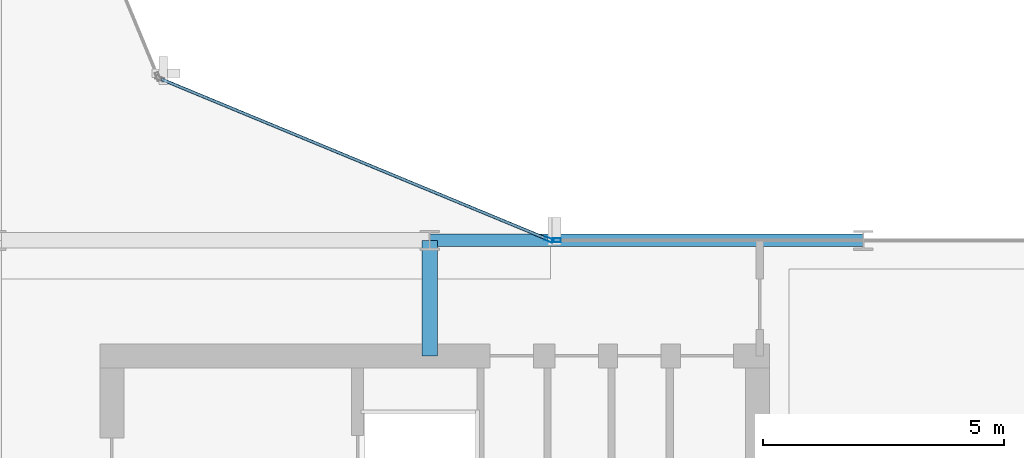
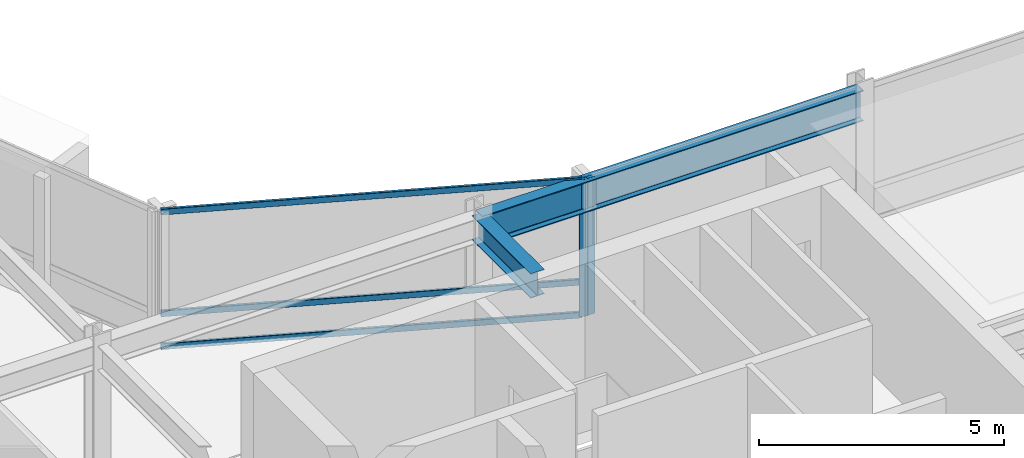
# One storey, part 12 of 27: 5 members, 2 beams, 2 elements without a shape of their own.
"""IFC4 building model written with IfcOpenShell, lengths in metres."""

from ifc_helpers import new_model, si_unit, direction, frame, origin, origin_2d, place, context, subcontext, project, spatial, hollow_rectangle, i_section, extrude, material, layer, layer_set, material_profile, profile_set, type_object, element, aggregate, save


model = new_model("IFC4")

# Units and contexts
model_context = context("Model", 3, precision=1e-05, world=origin(), true_north=direction((0.0, 1.0)))
body_context = subcontext(model_context, "Body", "Model", "MODEL_VIEW")
ifc_project = project(units=[si_unit("LENGTHUNIT", "METRE"), si_unit("AREAUNIT", "SQUARE_METRE"), si_unit("VOLUMEUNIT", "CUBIC_METRE"), si_unit("PLANEANGLEUNIT", "RADIAN"), si_unit("MASSUNIT", "GRAM", prefix="KILO")], contexts=[model_context])

# Site, building, storey
site_placement = place(None, origin())
site = spatial("IfcSite", under=ifc_project, at=site_placement, CompositionType="ELEMENT")
building_placement = place(site_placement, origin())
building = spatial("IfcBuilding", under=site, at=building_placement, Name="Solvaryn Broadcast Tower", CompositionType="ELEMENT")
storey_placement = place(building_placement, frame((0.0, 0.0, 177.89990234375)))
storey = spatial("IfcBuildingStorey", under=building, at=storey_placement, Name="L44", CompositionType="ELEMENT", Elevation=177.89990234375)

# Beams
ifc_material_1 = material(Name="Steel ASTM A992 Grade 50", Category="steel")
ifc_material_profile_1 = material_profile(ifc_material_1, i_section(OverallWidth=0.323974609375, OverallDepth=0.611083984375, WebThickness=0.0126953125, FlangeThickness=0.01904296875, FilletRadius=0.014892578125, at=origin_2d()))
ifc_profile_set_1 = profile_set([ifc_material_profile_1], Name="Steel ASTM A992 Grade 50")
beam_type_1 = type_object("IfcBeamType", Name="BM-B1-W24X104", PredefinedType="BEAM", material=ifc_profile_set_1)
beam_1_placement = place(storey_placement, frame((36.0, 24.60009765625, 3.114501953125), z_axis=(0.0, 1.0, 0.0), x_axis=(-1.0, 0.0, 0.0)))
element("IfcBeam", 1, at=beam_1_placement, inside=storey, type_object=beam_type_1, Name="L44 Core Tie Beam CTE2", PredefinedType="BEAM", context=body_context, shape_type="SweptSolid", body=[
    extrude(i_section(OverallWidth=0.323974609375, OverallDepth=0.611083984375, WebThickness=0.0126953125, FlangeThickness=0.01904296875, FilletRadius=0.014892578125, at=origin_2d()), origin(), (0.0, 0.0, 1.0), 2.39990234375),
])
ifc_material_2 = material(Name="Steel ASTM A992 Grade 50", Category="steel")
ifc_material_profile_2 = material_profile(ifc_material_2, i_section(OverallWidth=0.26708984375, OverallDepth=0.76611328125, WebThickness=0.014892578125, FlangeThickness=0.023681640625, FilletRadius=0.01806640625, at=origin_2d()))
ifc_profile_set_2 = profile_set([ifc_material_profile_2], Name="Steel ASTM A992 Grade 50")
beam_type_2 = type_object("IfcBeamType", Name="BM-SP2-W30X124", PredefinedType="USERDEFINED", material=ifc_profile_set_2)
beam_2_placement = place(storey_placement, frame((36.0, 27.0, 3.037109375), z_axis=(1.0, 0.0, 0.0), x_axis=(0.0, 1.0, 0.0)))
element("IfcBeam", 2, at=beam_2_placement, inside=storey, type_object=beam_type_2, Name="L44 Spandrel Beam X (36-45 @ Y=27)", ObjectType="SPANDREL", PredefinedType="USERDEFINED", context=body_context, shape_type="SweptSolid", body=[
    extrude(i_section(OverallWidth=0.26708984375, OverallDepth=0.76611328125, WebThickness=0.014892578125, FlangeThickness=0.023681640625, FilletRadius=0.01806640625, at=origin_2d()), origin(), (0.0, 0.0, 1.0), 9.0),
])

# Curtain wall, member
ifc_material_3 = material(Name="Aluminium and Terracotta Unitised Curtain Wall", Category="masonry")
ifc_layer = layer(ifc_material_3, 0.199951171875)
ifc_layer_set = layer_set([ifc_layer], Name="CW-SYS2-LOWMID")
curtain_wall_type = type_object("IfcCurtainWallType", Name="CW-SYS2-LOWMID", PredefinedType="NOTDEFINED", material=ifc_layer_set)
curtain_wall_1_placement = place(storey_placement, origin())
curtain_wall_1 = element("IfcCurtainWall", 3, at=curtain_wall_1_placement, inside=storey, type_object=curtain_wall_type, Name="L44 Curtain Wall CN1", PredefinedType="NOTDEFINED")
ifc_material_4 = material(Name="Anodised Aluminium 6063-T6", Category="aluminium")
ifc_material_profile_3 = material_profile(ifc_material_4, hollow_rectangle(XDim=0.074951171875, YDim=0.179931640625, WallThickness=0.00390625, InnerFilletRadius=0.00390625, OuterFilletRadius=0.008056640625, at=origin_2d()))
ifc_profile_set_3 = profile_set([ifc_material_profile_3], Name="Anodised Aluminium 6063-T6")
member_type_1 = type_object("IfcMemberType", Name="CW-MUL-180", PredefinedType="MULLION", material=ifc_profile_set_3)
member_1_placement = place(storey_placement, frame((38.47216796875, 27.011474609375, 0.0), z_axis=(0.0, 0.0, 1.0), x_axis=(-0.382646127145, -0.923894983957, 0.0)))
member_1 = element("IfcMember", 4, at=member_1_placement, type_object=member_type_1, Name="CWS2 mullion 1", PredefinedType="MULLION", context=body_context, shape_type="SweptSolid", body=[
    extrude(hollow_rectangle(XDim=0.074951171875, YDim=0.179931640625, WallThickness=0.00390625, InnerFilletRadius=0.00390625, OuterFilletRadius=0.008056640625, at=origin_2d()), origin(), (0.0, 0.0, 1.0), 3.420166015625),
])

curtain_wall_2_placement = place(storey_placement, origin())
curtain_wall_2 = element("IfcCurtainWall", 5, at=curtain_wall_2_placement, inside=storey, type_object=curtain_wall_type, Name="L44 Curtain Wall IH", PredefinedType="NOTDEFINED")
member_2_placement = place(storey_placement, frame((38.6298828125, 27.0, 0.0), z_axis=(0.0, 0.0, 1.0), x_axis=(0.0, 1.0, 0.0)))
member_2 = element("IfcMember", 6, at=member_2_placement, type_object=member_type_1, Name="CWS2 mullion 1", PredefinedType="MULLION", context=body_context, shape_type="SweptSolid", body=[
    extrude(hollow_rectangle(XDim=0.074951171875, YDim=0.179931640625, WallThickness=0.00390625, InnerFilletRadius=0.00390625, OuterFilletRadius=0.008056640625, at=origin_2d()), origin(), (0.0, 0.0, 1.0), 3.420166015625),
])
aggregate(curtain_wall_2, [member_2])

# Member
ifc_material_5 = material(Name="Anodised Aluminium 6063-T6", Category="aluminium")
ifc_material_profile_4 = material_profile(ifc_material_5, hollow_rectangle(XDim=0.06494140625, YDim=0.14990234375, WallThickness=0.00390625, InnerFilletRadius=0.00390625, OuterFilletRadius=0.008056640625, at=origin_2d()))
ifc_profile_set_4 = profile_set([ifc_material_profile_4], Name="Anodised Aluminium 6063-T6")
member_type_2 = type_object("IfcMemberType", Name="CW-TRN-150", PredefinedType="USERDEFINED", material=ifc_profile_set_4)
member_3_placement = place(storey_placement, frame((38.444580078125, 27.02294921875, 0.030029296875), z_axis=(-0.923899282177, 0.382635748975, 0.0), x_axis=(-0.382635748975, -0.923899282177, 0.0)))
member_3 = element("IfcMember", 7, at=member_3_placement, type_object=member_type_2, Name="CWS2 transom 1.1", ObjectType="TRANSOM", PredefinedType="USERDEFINED", context=body_context, shape_type="SweptSolid", body=[
    extrude(hollow_rectangle(XDim=0.06494140625, YDim=0.14990234375, WallThickness=0.00390625, InnerFilletRadius=0.00390625, OuterFilletRadius=0.008056640625, at=origin_2d()), origin(), (0.0, 0.0, 1.0), 8.681884765625),
])

member_4_placement = place(storey_placement, frame((38.444580078125, 27.02294921875, 0.85009765625), z_axis=(-0.923899282177, 0.382635748975, 0.0), x_axis=(-0.382635748975, -0.923899282177, 0.0)))
member_4 = element("IfcMember", 8, at=member_4_placement, type_object=member_type_2, Name="CWS2 transom 1.2", ObjectType="TRANSOM", PredefinedType="USERDEFINED", context=body_context, shape_type="SweptSolid", body=[
    extrude(hollow_rectangle(XDim=0.06494140625, YDim=0.14990234375, WallThickness=0.00390625, InnerFilletRadius=0.00390625, OuterFilletRadius=0.008056640625, at=origin_2d()), origin(), (0.0, 0.0, 1.0), 8.681884765625),
])

member_5_placement = place(storey_placement, frame((38.444580078125, 27.02294921875, 3.39013671875), z_axis=(-0.923899282177, 0.382635748975, 0.0), x_axis=(-0.382635748975, -0.923899282177, 0.0)))
member_5 = element("IfcMember", 9, at=member_5_placement, type_object=member_type_2, Name="CWS2 transom 1.3", ObjectType="TRANSOM", PredefinedType="USERDEFINED", context=body_context, shape_type="SweptSolid", body=[
    extrude(hollow_rectangle(XDim=0.06494140625, YDim=0.14990234375, WallThickness=0.00390625, InnerFilletRadius=0.00390625, OuterFilletRadius=0.008056640625, at=origin_2d()), origin(), (0.0, 0.0, 1.0), 8.681884765625),
])

aggregate(curtain_wall_1, [member_1, member_3, member_4, member_5])

save(model, "model.ifc")
